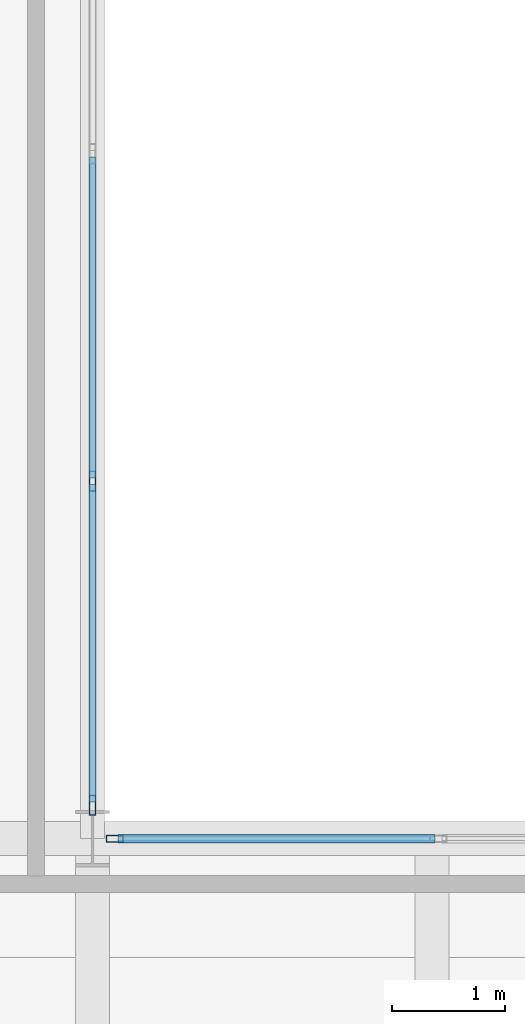
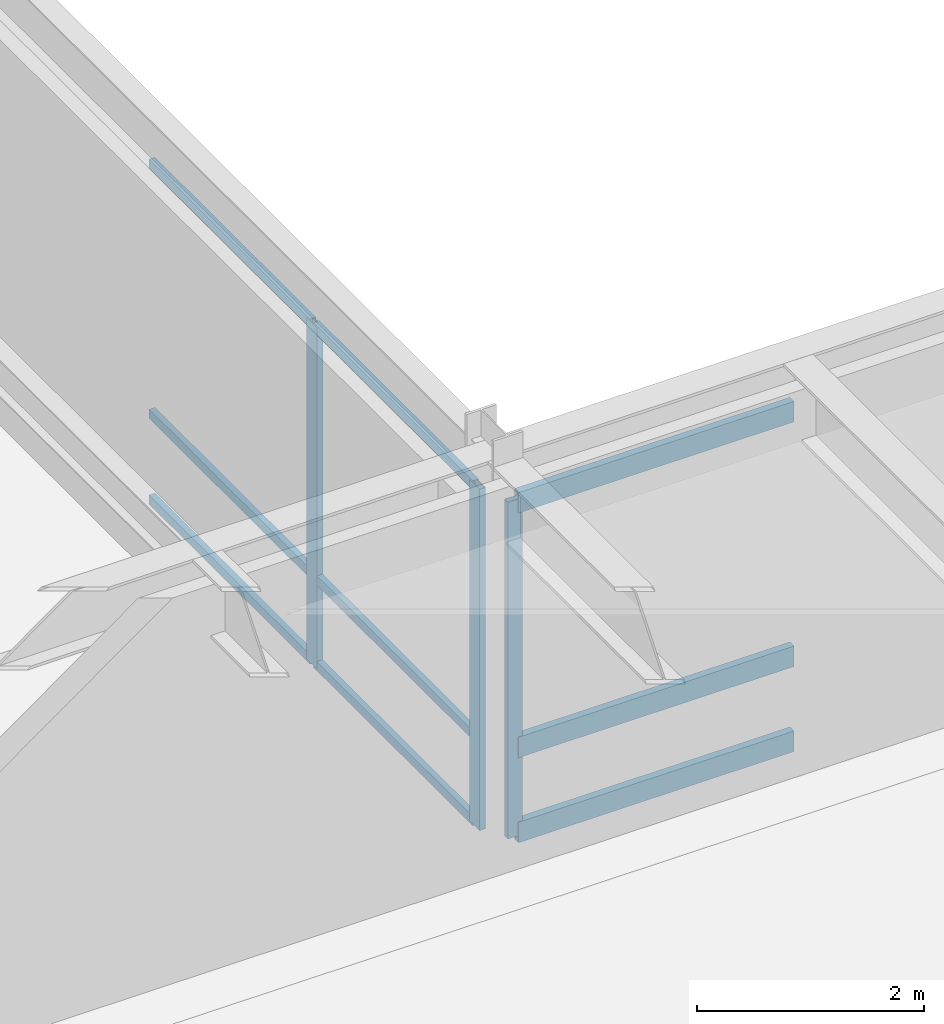
# One storey, part 42 of 127: 12 members, 2 elements without a shape of their own.
"""IFC4 building model written with IfcOpenShell, lengths in metres."""

from ifc_helpers import new_model, si_unit, direction, frame, origin, origin_2d, place, context, subcontext, project, spatial, hollow_rectangle, extrude, material, layer, layer_set, material_profile, profile_set, type_object, element, aggregate, save


model = new_model("IFC4")

# Units and contexts
model_context = context("Model", 3, precision=1e-05, world=origin(), true_north=direction((0.0, 1.0)))
body_context = subcontext(model_context, "Body", "Model", "MODEL_VIEW")
ifc_project = project(units=[si_unit("LENGTHUNIT", "METRE"), si_unit("AREAUNIT", "SQUARE_METRE"), si_unit("VOLUMEUNIT", "CUBIC_METRE"), si_unit("PLANEANGLEUNIT", "RADIAN"), si_unit("MASSUNIT", "GRAM", prefix="KILO")], contexts=[model_context])

# Site, building, storey
site_placement = place(None, origin())
site = spatial("IfcSite", under=ifc_project, at=site_placement, CompositionType="ELEMENT")
building_placement = place(site_placement, origin())
building = spatial("IfcBuilding", under=site, at=building_placement, Name="Montelvaro Courts of Justice", CompositionType="ELEMENT")
storey_placement = place(building_placement, frame((0.0, 0.0, 5.39990234375)))
storey = spatial("IfcBuildingStorey", under=building, at=storey_placement, Name="L01", CompositionType="ELEMENT", Elevation=5.39990234375)

# Curtain wall, member
ifc_material = material(Name="Anodised aluminium EN AW-6063", Category="aluminium")
ifc_layer_1 = layer(ifc_material, 0.159912109375)
ifc_layer_set_1 = layer_set([ifc_layer_1], Name="Anodised aluminium EN AW-6063")
curtain_wall_type_1 = type_object("IfcCurtainWallType", Name="CurtainWall_14_867x418", PredefinedType="USERDEFINED", material=ifc_layer_set_1)
curtain_wall_1_placement = place(storey_placement, origin())
curtain_wall_1 = element("IfcCurtainWall", 1, at=curtain_wall_1_placement, inside=storey, type_object=curtain_wall_type_1, Name="Curtain Wall CW-14 (L01)", ObjectType="CURTAIN WALL", PredefinedType="USERDEFINED")
ifc_material_profile_1 = material_profile(ifc_material, hollow_rectangle(XDim=0.06005859375, YDim=0.14990234375, WallThickness=0.00390625, at=origin_2d()), Name="ALU-M 60x150")
ifc_profile_set_1 = profile_set([ifc_material_profile_1], Name="Anodised aluminium EN AW-6063")
member_type_1 = type_object("IfcMemberType", Name="CurtainWall_Mullion_60x150", PredefinedType="MULLION", material=ifc_profile_set_1)
member_1_placement = place(storey_placement, frame((126.195068359375, 42.0, 0.0), z_axis=(0.0, 0.0, 1.0), x_axis=(0.0, -1.0, 0.0)))
member_1 = element("IfcMember", 2, at=member_1_placement, type_object=member_type_1, Name="CW-14 mullion 4", PredefinedType="MULLION", context=body_context, shape_type="SweptSolid", body=[
    extrude(hollow_rectangle(XDim=0.06005859375, YDim=0.14990234375, WallThickness=0.00390625, at=origin_2d()), origin(), (0.0, 0.0, 1.0), 3.614990234375),
])

# Curtain wall, members
ifc_layer_2 = layer(ifc_material, 0.159912109375)
ifc_layer_set_2 = layer_set([ifc_layer_2], Name="Anodised aluminium EN AW-6063")
curtain_wall_type_2 = type_object("IfcCurtainWallType", Name="CurtainWall_23_1154x418", PredefinedType="USERDEFINED", material=ifc_layer_set_2)
curtain_wall_2_placement = place(storey_placement, origin())
curtain_wall_2 = element("IfcCurtainWall", 3, at=curtain_wall_2_placement, inside=storey, type_object=curtain_wall_type_2, Name="Curtain Wall CW-23 (L01)", ObjectType="CURTAIN WALL", PredefinedType="USERDEFINED")
ifc_material_profile_2 = material_profile(ifc_material, hollow_rectangle(XDim=0.06005859375, YDim=0.179931640625, WallThickness=0.00439453125, at=origin_2d()), Name="ALU-M 60x180")
ifc_profile_set_2 = profile_set([ifc_material_profile_2], Name="Anodised aluminium EN AW-6063")
member_type_2 = type_object("IfcMemberType", Name="CurtainWall_Mullion_60x180", PredefinedType="MULLION", material=ifc_profile_set_2)
member_2_placement = place(storey_placement, frame((126.0, 42.294921875, 0.0), z_axis=(0.0, 0.0, 1.0), x_axis=(-1.0, 0.0, 0.0)))
member_2 = element("IfcMember", 4, at=member_2_placement, type_object=member_type_2, Name="CW-23 mullion 1", PredefinedType="MULLION", context=body_context, shape_type="SweptSolid", body=[
    extrude(hollow_rectangle(XDim=0.06005859375, YDim=0.179931640625, WallThickness=0.00439453125, at=origin_2d()), origin(), (0.0, 0.0, 1.0), 3.6650390625),
])
member_3_placement = place(storey_placement, frame((126.0, 45.157470703125, 0.0), z_axis=(0.0, 0.0, 1.0), x_axis=(-1.0, 0.0, 0.0)))
member_3 = element("IfcMember", 5, at=member_3_placement, type_object=member_type_2, Name="CW-23 mullion 2", PredefinedType="MULLION", context=body_context, shape_type="SweptSolid", body=[
    extrude(hollow_rectangle(XDim=0.06005859375, YDim=0.179931640625, WallThickness=0.00439453125, at=origin_2d()), origin(), (0.0, 0.0, 1.0), 3.6650390625),
])
ifc_material_profile_3 = material_profile(ifc_material, hollow_rectangle(XDim=0.06005859375, YDim=0.10009765625, WallThickness=0.00341796875, at=origin_2d()), Name="ALU-T 60x100")
ifc_profile_set_3 = profile_set([ifc_material_profile_3], Name="Anodised aluminium EN AW-6063")
member_type_3 = type_object("IfcMemberType", Name="CurtainWall_Transom_60x100", PredefinedType="USERDEFINED", material=ifc_profile_set_3)
member_4_placement = place(storey_placement, frame((126.0, 42.324951171875, 0.030029296875), z_axis=(0.0, 1.0, 0.0), x_axis=(-1.0, 0.0, 0.0)))
member_4 = element("IfcMember", 6, at=member_4_placement, type_object=member_type_3, Name="CW-23 transom 1.1", ObjectType="TRANSOM", PredefinedType="USERDEFINED", context=body_context, shape_type="SweptSolid", body=[
    extrude(hollow_rectangle(XDim=0.06005859375, YDim=0.10009765625, WallThickness=0.00341796875, at=origin_2d()), origin(), (0.0, 0.0, 1.0), 2.802490234375),
])
member_5_placement = place(storey_placement, frame((126.0, 42.324951171875, 0.9501953125), z_axis=(0.0, 1.0, 0.0), x_axis=(-1.0, 0.0, 0.0)))
member_5 = element("IfcMember", 7, at=member_5_placement, type_object=member_type_3, Name="CW-23 transom 1.2", ObjectType="TRANSOM", PredefinedType="USERDEFINED", context=body_context, shape_type="SweptSolid", body=[
    extrude(hollow_rectangle(XDim=0.06005859375, YDim=0.10009765625, WallThickness=0.00341796875, at=origin_2d()), origin(), (0.0, 0.0, 1.0), 2.802490234375),
])
member_6_placement = place(storey_placement, frame((126.0, 42.324951171875, 3.635009765625), z_axis=(0.0, 1.0, 0.0), x_axis=(-1.0, 0.0, 0.0)))
member_6 = element("IfcMember", 8, at=member_6_placement, type_object=member_type_3, Name="CW-23 transom 1.3", ObjectType="TRANSOM", PredefinedType="USERDEFINED", context=body_context, shape_type="SweptSolid", body=[
    extrude(hollow_rectangle(XDim=0.06005859375, YDim=0.10009765625, WallThickness=0.00341796875, at=origin_2d()), origin(), (0.0, 0.0, 1.0), 2.802490234375),
])
member_7_placement = place(storey_placement, frame((126.0, 45.1875, 0.030029296875), z_axis=(0.0, 1.0, 0.0), x_axis=(-1.0, 0.0, 0.0)))
member_7 = element("IfcMember", 9, at=member_7_placement, type_object=member_type_3, Name="CW-23 transom 2.1", ObjectType="TRANSOM", PredefinedType="USERDEFINED", context=body_context, shape_type="SweptSolid", body=[
    extrude(hollow_rectangle(XDim=0.06005859375, YDim=0.10009765625, WallThickness=0.00341796875, at=origin_2d()), origin(), (0.0, 0.0, 1.0), 2.83251953125),
])
member_8_placement = place(storey_placement, frame((126.0, 45.1875, 0.9501953125), z_axis=(0.0, 1.0, 0.0), x_axis=(-1.0, 0.0, 0.0)))
member_8 = element("IfcMember", 10, at=member_8_placement, type_object=member_type_3, Name="CW-23 transom 2.2", ObjectType="TRANSOM", PredefinedType="USERDEFINED", context=body_context, shape_type="SweptSolid", body=[
    extrude(hollow_rectangle(XDim=0.06005859375, YDim=0.10009765625, WallThickness=0.00341796875, at=origin_2d()), origin(), (0.0, 0.0, 1.0), 2.83251953125),
])
member_9_placement = place(storey_placement, frame((126.0, 45.1875, 3.635009765625), z_axis=(0.0, 1.0, 0.0), x_axis=(-1.0, 0.0, 0.0)))
member_9 = element("IfcMember", 11, at=member_9_placement, type_object=member_type_3, Name="CW-23 transom 2.3", ObjectType="TRANSOM", PredefinedType="USERDEFINED", context=body_context, shape_type="SweptSolid", body=[
    extrude(hollow_rectangle(XDim=0.06005859375, YDim=0.10009765625, WallThickness=0.00341796875, at=origin_2d()), origin(), (0.0, 0.0, 1.0), 2.83251953125),
])
aggregate(curtain_wall_2, [member_2, member_3, member_4, member_5, member_6, member_7, member_8, member_9])

# Member
ifc_material_profile_4 = material_profile(ifc_material, hollow_rectangle(XDim=0.074951171875, YDim=0.219970703125, WallThickness=0.005615234375, at=origin_2d()), Name="ALU-T 75x220")
ifc_profile_set_4 = profile_set([ifc_material_profile_4], Name="Anodised aluminium EN AW-6063")
member_type_4 = type_object("IfcMemberType", Name="CurtainWall_Transom_75x220", PredefinedType="USERDEFINED", material=ifc_profile_set_4)
member_10_placement = place(storey_placement, frame((129.02490234375, 42.0, 0.03759765625), z_axis=(-1.0, 0.0, 0.0), x_axis=(0.0, -1.0, 0.0)))
member_10 = element("IfcMember", 12, at=member_10_placement, type_object=member_type_4, Name="CW-14 transom 3.1", ObjectType="TRANSOM", PredefinedType="USERDEFINED", context=body_context, shape_type="SweptSolid", body=[
    extrude(hollow_rectangle(XDim=0.074951171875, YDim=0.219970703125, WallThickness=0.005615234375, at=origin_2d()), origin(), (0.0, 0.0, 1.0), 2.7998046875),
])

member_11_placement = place(storey_placement, frame((129.02490234375, 42.0, 0.9501953125), z_axis=(-1.0, 0.0, 0.0), x_axis=(0.0, -1.0, 0.0)))
member_11 = element("IfcMember", 13, at=member_11_placement, type_object=member_type_4, Name="CW-14 transom 3.2", ObjectType="TRANSOM", PredefinedType="USERDEFINED", context=body_context, shape_type="SweptSolid", body=[
    extrude(hollow_rectangle(XDim=0.074951171875, YDim=0.219970703125, WallThickness=0.005615234375, at=origin_2d()), origin(), (0.0, 0.0, 1.0), 2.7998046875),
])

member_12_placement = place(storey_placement, frame((129.02490234375, 42.0, 3.57763671875), z_axis=(-1.0, 0.0, 0.0), x_axis=(0.0, -1.0, 0.0)))
member_12 = element("IfcMember", 14, at=member_12_placement, type_object=member_type_4, Name="CW-14 transom 3.3", ObjectType="TRANSOM", PredefinedType="USERDEFINED", context=body_context, shape_type="SweptSolid", body=[
    extrude(hollow_rectangle(XDim=0.074951171875, YDim=0.219970703125, WallThickness=0.005615234375, at=origin_2d()), origin(), (0.0, 0.0, 1.0), 2.7998046875),
])

aggregate(curtain_wall_1, [member_1, member_10, member_11, member_12])

save(model, "model.ifc")
